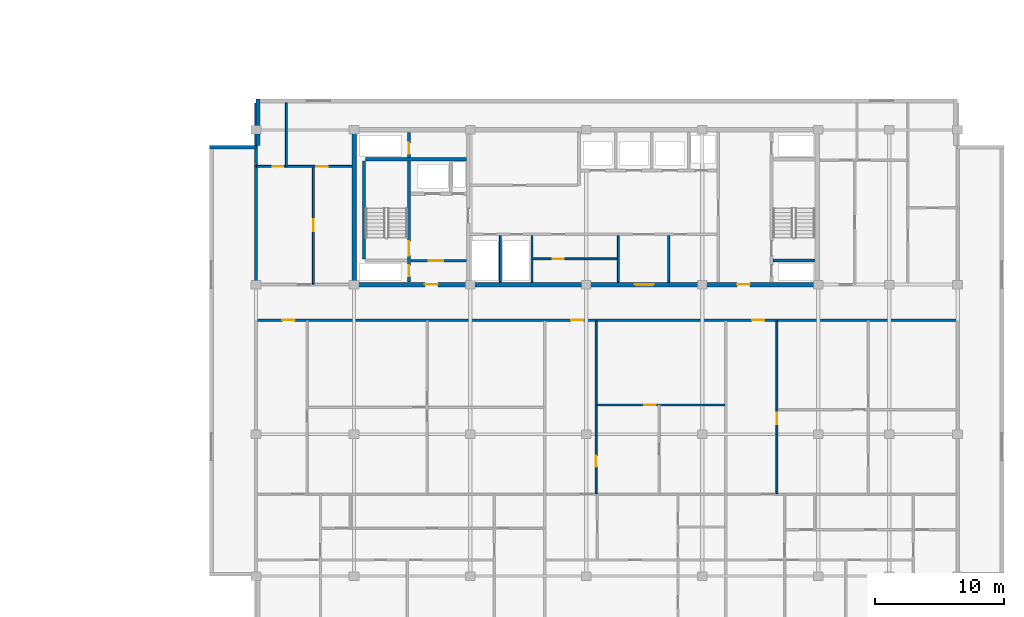
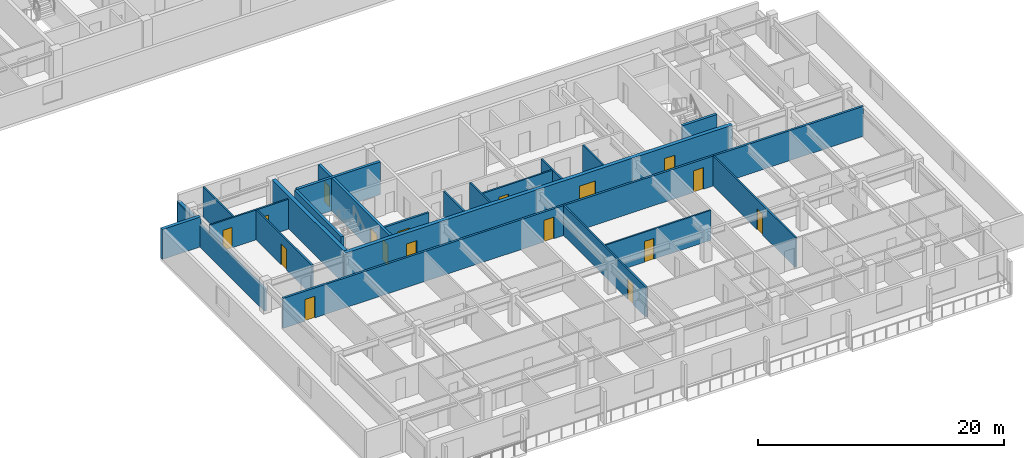
# One storey, part 6 of 22: 22 walls, 17 doors, 17 openings.
"""IFC4 building model written with IfcOpenShell, lengths in metres."""

from ifc_helpers import new_model, si_unit, direction, frame, frame_2d, origin, place, context, subcontext, project, spatial, rectangle, extrude, material, layer, layer_set, type_object, element, fill, save


model = new_model("IFC4")

# Units and contexts
model_context = context("Model", 3, precision=1e-05, world=origin(), true_north=direction((0.0, 1.0)))
body_context = subcontext(model_context, "Body", "Model", "MODEL_VIEW")
ifc_project = project(units=[si_unit("LENGTHUNIT", "METRE"), si_unit("AREAUNIT", "SQUARE_METRE"), si_unit("VOLUMEUNIT", "CUBIC_METRE"), si_unit("PLANEANGLEUNIT", "RADIAN"), si_unit("MASSUNIT", "GRAM", prefix="KILO")], contexts=[model_context])

# Site, building, storey
site_placement = place(None, origin())
site = spatial("IfcSite", under=ifc_project, at=site_placement, CompositionType="ELEMENT")
building_placement = place(site_placement, origin())
building = spatial("IfcBuilding", under=site, at=building_placement, Name="Korimba Cascade Residences", CompositionType="ELEMENT")
storey_placement = place(building_placement, frame((0.0, 0.0, 191.35009765625)))
storey = spatial("IfcBuildingStorey", under=building, at=storey_placement, Name="L55", CompositionType="ELEMENT", Elevation=191.35009765625)

# Walls
ifc_material_1 = material(Name="Precast concrete C40/50", Category="concrete")
ifc_layer_1 = layer(ifc_material_1, 0.300048828125)
ifc_layer_set_1 = layer_set([ifc_layer_1], Name="Precast concrete C40/50")
wall_type_1 = type_object("IfcWallType", Name="EW-STONE-300", PredefinedType="STANDARD", material=ifc_layer_set_1)
wall_1_placement = place(storey_placement, frame((74.64990234375, 32.800048828125, 0.0), z_axis=(0.0, 0.0, 1.0), x_axis=(0.0, -1.0, 0.0)))
element("IfcWall", 1, at=wall_1_placement, inside=storey, type_object=wall_type_1, Name="L55 T2 Perimeter Stone Wall E07", PredefinedType="STANDARD", context=body_context, shape_type="SweptSolid", body=[
    extrude(rectangle(XDim=3.60009765625, YDim=0.300048828125, at=frame_2d((1.800048828125, 0.0))), origin(), (0.0, 0.0, 1.0), 2.2001953125),
])
wall_2_placement = place(storey_placement, frame((74.5, 29.050048828125, 0.0), z_axis=(0.0, 0.0, 1.0), x_axis=(-1.0, 0.0, 0.0)))
element("IfcWall", 2, at=wall_2_placement, inside=storey, type_object=wall_type_1, Name="L55 T2 Perimeter Stone Wall E08", PredefinedType="STANDARD", context=body_context, shape_type="SweptSolid", body=[
    extrude(rectangle(XDim=3.60009765625, YDim=0.300048828125, at=frame_2d((1.800048828125, 0.0))), origin(), (0.0, 0.0, 1.0), 2.969970703125),
])
ifc_material_2 = material(Name="Concrete C65/80", Category="concrete")
ifc_layer_2 = layer(ifc_material_2, 0.35009765625)
ifc_layer_set_2 = layer_set([ifc_layer_2], Name="Concrete C65/80")
wall_type_2 = type_object("IfcWallType", Name="WAL-CORE-350", PredefinedType="SHEAR", material=ifc_layer_set_2)
wall_3_placement = place(storey_placement, frame((82.10009765625, 18.574951171875, 0.0), z_axis=(0.0, 0.0, 1.0), x_axis=(0.0, 1.0, 0.0)))
element("IfcWall", 3, at=wall_3_placement, inside=storey, type_object=wall_type_2, Name="L55 Core Shear Wall CW-L55-T2-W", PredefinedType="SHEAR", context=body_context, shape_type="SweptSolid", body=[
    extrude(rectangle(XDim=11.650146484375, YDim=0.35009765625, at=frame_2d((5.8251953125, 0.0))), origin(), (0.0, 0.0, 1.0), 3.25),
])

# Wall, openings, doors
wall_4_placement = place(storey_placement, frame((81.925048828125, 18.39990234375, 0.0), z_axis=(0.0, 0.0, 1.0), x_axis=(1.0, 0.0, 0.0)))
wall_4 = element("IfcWall", 4, at=wall_4_placement, inside=storey, type_object=wall_type_2, Name="L55 Core Shear Wall CW-L55-T2-S", PredefinedType="SHEAR", context=body_context, shape_type="SweptSolid", body=[
    extrude(rectangle(XDim=36.264892578125, YDim=0.35009765625, at=frame_2d((18.13232421875, 0.0))), origin(), (0.0, 0.0, 1.0), 3.25),
])
opening_1_placement = place(wall_4_placement, frame((5.675048828125, 0.0, 0.0)))
opening_1 = element("IfcOpeningElement", 5, at=opening_1_placement, cuts=wall_4, Name="Opening D-FD5", PredefinedType="OPENING", context=body_context, shape_type="SweptSolid", body=[
    extrude(rectangle(XDim=1.0, YDim=2.14990234375, at=frame_2d((0.5, 1.074951171875))), frame((0.0, 0.18505859375, 0.0), z_axis=(0.0, -1.0, 0.0), x_axis=(1.0, 0.0, 0.0)), (0.0, 0.0, 1.0), 0.3701171875),
])
opening_2_placement = place(wall_4_placement, frame((21.925048828125, 0.0, 0.0)))
opening_2 = element("IfcOpeningElement", 6, at=opening_2_placement, cuts=wall_4, Name="Opening D-FD8", PredefinedType="OPENING", context=body_context, shape_type="SweptSolid", body=[
    extrude(rectangle(XDim=1.5, YDim=2.199951171875, at=frame_2d((0.75, 1.10009765625))), frame((0.0, 0.18505859375, 0.0), z_axis=(0.0, -1.0, 0.0), x_axis=(1.0, 0.0, 0.0)), (0.0, 0.0, 1.0), 0.3701171875),
])
opening_3_placement = place(wall_4_placement, frame((29.875, 0.0, 0.0)))
opening_3 = element("IfcOpeningElement", 7, at=opening_3_placement, cuts=wall_4, Name="Opening D-FD5", PredefinedType="OPENING", context=body_context, shape_type="SweptSolid", body=[
    extrude(rectangle(XDim=1.0, YDim=2.14990234375, at=frame_2d((0.5, 1.074951171875))), frame((0.0, 0.18505859375, 0.0), z_axis=(0.0, -1.0, 0.0), x_axis=(1.0, 0.0, 0.0)), (0.0, 0.0, 1.0), 0.3701171875),
])
ifc_material_3 = material(Name="Fire-Rated Acoustic Timber Vestibule Door", Category="wood")
door_type_1 = type_object("IfcDoorType", Name="DR-FD90-1000", OperationType="NOTDEFINED", PredefinedType="DOOR", material=ifc_material_3)
door_1_placement = place(opening_1_placement, origin())
door_1 = element("IfcDoor", 8, at=door_1_placement, inside=storey, type_object=door_type_1, Name="L55 T2 West Core Vestibule Fire Door", OperationType="SINGLE_SWING_RIGHT", OverallHeight=2.14990234375, OverallWidth=1.0, PredefinedType="DOOR", context=body_context, shape_type="SweptSolid", body=[
    extrude(rectangle(XDim=1.0, YDim=2.14990234375, at=frame_2d((0.5, 1.074951171875))), frame((0.0, 0.02490234375, 0.0), z_axis=(0.0, -1.0, 0.0), x_axis=(1.0, 0.0, 0.0)), (0.0, 0.0, 1.0), 0.050048828125),
])
fill(opening_1, door_1)
door_2_placement = place(opening_3_placement, origin())
door_2 = element("IfcDoor", 9, at=door_2_placement, inside=storey, type_object=door_type_1, Name="L55 T2 East Stair Vestibule Fire Door", OperationType="SINGLE_SWING_LEFT", OverallHeight=2.14990234375, OverallWidth=1.0, PredefinedType="DOOR", context=body_context, shape_type="SweptSolid", body=[
    extrude(rectangle(XDim=1.0, YDim=2.14990234375, at=frame_2d((0.5, 1.074951171875))), frame((0.0, 0.02490234375, 0.0), z_axis=(0.0, -1.0, 0.0), x_axis=(1.0, 0.0, 0.0)), (0.0, 0.0, 1.0), 0.050048828125),
])
fill(opening_3, door_2)
ifc_material_4 = material(Name="Fire-Rated Glazed Lift Lobby Double Door", Category="glass")
door_type_2 = type_object("IfcDoorType", Name="DR-FD90-1500", OperationType="NOTDEFINED", PredefinedType="DOOR", material=ifc_material_4)
door_3_placement = place(opening_2_placement, origin())
door_3 = element("IfcDoor", 10, at=door_3_placement, inside=storey, type_object=door_type_2, Name="L55 T2 Lift Lobby Fire Door", OperationType="DOUBLE_DOOR_SINGLE_SWING", OverallHeight=2.199951171875, OverallWidth=1.5, PredefinedType="DOOR", context=body_context, shape_type="SweptSolid", body=[
    extrude(rectangle(XDim=1.5, YDim=2.199951171875, at=frame_2d((0.75, 1.10009765625))), frame((0.0, 0.02490234375, 0.0), z_axis=(0.0, -1.0, 0.0), x_axis=(1.0, 0.0, 0.0)), (0.0, 0.0, 1.0), 0.050048828125),
])
fill(opening_2, door_3)

# Wall
ifc_layer_3 = layer(ifc_material_1, 0.199951171875)
ifc_layer_set_3 = layer_set([ifc_layer_3], Name="Precast concrete C40/50")
wall_type_3 = type_object("IfcWallType", Name="WAL-IT-200", PredefinedType="PARTITIONING", material=ifc_layer_set_3)
wall_5_placement = place(storey_placement, frame((74.5, 18.39990234375, 0.0), z_axis=(0.0, 0.0, 1.0), x_axis=(0.0, 1.0, 0.0)))
element("IfcWall", 11, at=wall_5_placement, inside=storey, type_object=wall_type_3, Name="L55 Partition Wall WAL-L55-T2-FW-WL", PredefinedType="PARTITIONING", context=body_context, shape_type="SweptSolid", body=[
    extrude(rectangle(XDim=14.10009765625, YDim=0.199951171875, at=frame_2d((7.050048828125, 0.0))), origin(), (0.0, 0.0, 1.0), 2.2001953125),
])

# Wall, openings, doors
wall_6_placement = place(storey_placement, frame((74.5, 15.64990234375, 0.0), z_axis=(0.0, 0.0, 1.0), x_axis=(1.0, 0.0, 0.0)))
wall_6 = element("IfcWall", 12, at=wall_6_placement, inside=storey, type_object=wall_type_3, Name="L55 Partition Wall WAL-L55-T2-CORS", PredefinedType="PARTITIONING", context=body_context, shape_type="SweptSolid", body=[
    extrude(rectangle(XDim=54.39990234375, YDim=0.199951171875, at=frame_2d((27.199951171875, 0.0))), origin(), (0.0, 0.0, 1.0), 2.969970703125),
])
opening_4_placement = place(wall_6_placement, frame((2.044921875, 0.0, 0.0)))
opening_4 = element("IfcOpeningElement", 13, at=opening_4_placement, cuts=wall_6, Name="Opening D-UN1", PredefinedType="OPENING", context=body_context, shape_type="SweptSolid", body=[
    extrude(rectangle(XDim=0.949951171875, YDim=2.14990234375, at=frame_2d((0.47509765625, 1.074951171875))), frame((0.0, 0.10986328125, 0.0), z_axis=(0.0, -1.0, 0.0), x_axis=(1.0, 0.0, 0.0)), (0.0, 0.0, 1.0), 0.219970703125),
])
opening_5_placement = place(wall_6_placement, frame((24.444091796875, 0.0, 0.0)))
opening_5 = element("IfcOpeningElement", 14, at=opening_5_placement, cuts=wall_6, Name="Opening D-UN1", PredefinedType="OPENING", context=body_context, shape_type="SweptSolid", body=[
    extrude(rectangle(XDim=0.949951171875, YDim=2.14990234375, at=frame_2d((0.47509765625, 1.074951171875))), frame((0.0, 0.10986328125, 0.0), z_axis=(0.0, -1.0, 0.0), x_axis=(1.0, 0.0, 0.0)), (0.0, 0.0, 1.0), 0.219970703125),
])
opening_6_placement = place(wall_6_placement, frame((38.46630859375, 0.0, 0.0)))
opening_6 = element("IfcOpeningElement", 15, at=opening_6_placement, cuts=wall_6, Name="Opening D-UN1", PredefinedType="OPENING", context=body_context, shape_type="SweptSolid", body=[
    extrude(rectangle(XDim=0.949951171875, YDim=2.14990234375, at=frame_2d((0.47509765625, 1.074951171875))), frame((0.0, 0.10986328125, 0.0), z_axis=(0.0, -1.0, 0.0), x_axis=(1.0, 0.0, 0.0)), (0.0, 0.0, 1.0), 0.219970703125),
])
ifc_material_5 = material(Name="Fire-Rated Hardwood Apartment Entrance Door", Category="wood")
door_type_3 = type_object("IfcDoorType", Name="DR-FD60-950", OperationType="NOTDEFINED", PredefinedType="DOOR", material=ifc_material_5)
door_4_placement = place(opening_4_placement, origin())
door_4 = element("IfcDoor", 16, at=door_4_placement, inside=storey, type_object=door_type_3, Name="Unit L55-T2-U01 Entrance Door", OperationType="SINGLE_SWING_RIGHT", OverallHeight=2.14990234375, OverallWidth=0.949951171875, PredefinedType="DOOR", context=body_context, shape_type="SweptSolid", body=[
    extrude(rectangle(XDim=0.949951171875, YDim=2.14990234375, at=frame_2d((0.47509765625, 1.074951171875))), frame((0.0, 0.02490234375, 0.0), z_axis=(0.0, -1.0, 0.0), x_axis=(1.0, 0.0, 0.0)), (0.0, 0.0, 1.0), 0.050048828125),
])
fill(opening_4, door_4)
door_5_placement = place(opening_5_placement, origin())
door_5 = element("IfcDoor", 17, at=door_5_placement, inside=storey, type_object=door_type_3, Name="Unit L55-T2-U02 Entrance Door", OperationType="SINGLE_SWING_LEFT", OverallHeight=2.14990234375, OverallWidth=0.949951171875, PredefinedType="DOOR", context=body_context, shape_type="SweptSolid", body=[
    extrude(rectangle(XDim=0.949951171875, YDim=2.14990234375, at=frame_2d((0.47509765625, 1.074951171875))), frame((0.0, 0.02490234375, 0.0), z_axis=(0.0, -1.0, 0.0), x_axis=(1.0, 0.0, 0.0)), (0.0, 0.0, 1.0), 0.050048828125),
])
fill(opening_5, door_5)
door_6_placement = place(opening_6_placement, origin())
door_6 = element("IfcDoor", 18, at=door_6_placement, inside=storey, type_object=door_type_3, Name="Unit L55-T2-U03 Entrance Door", OperationType="SINGLE_SWING_RIGHT", OverallHeight=2.14990234375, OverallWidth=0.949951171875, PredefinedType="DOOR", context=body_context, shape_type="SweptSolid", body=[
    extrude(rectangle(XDim=0.949951171875, YDim=2.14990234375, at=frame_2d((0.47509765625, 1.074951171875))), frame((0.0, 0.02490234375, 0.0), z_axis=(0.0, -1.0, 0.0), x_axis=(1.0, 0.0, 0.0)), (0.0, 0.0, 1.0), 0.050048828125),
])
fill(opening_6, door_6)

# Walls
ifc_material_6 = material(Name="Insulated Acoustic Stud Partition", Category="gypsum")
ifc_layer_4 = layer(ifc_material_6, 0.14990234375)
ifc_layer_set_4 = layer_set([ifc_layer_4], Name="Insulated Acoustic Stud Partition")
wall_type_4 = type_object("IfcWallType", Name="WAL-PART-150", PredefinedType="PARTITIONING", material=ifc_layer_set_4)
for number, where, z_axis, x_axis, name in (
    (19, (93.449951171875, 18.60009765625, 0.0), (0.0, 0.0, 1.0), (0.0, 1.0, 0.0), "L55 Partition Wall CW-L55-T2-ERDIV"),
    (20, (95.89990234375, 18.60009765625, 0.0), (0.0, 0.0, 1.0), (0.0, 1.0, 0.0), "L55 Partition Wall CW-L55-T2-PRDIV"),
):
    element("IfcWall", number, at=place(storey_placement, frame(where, z_axis=z_axis, x_axis=x_axis)), inside=storey, type_object=wall_type_4, Name=name, PredefinedType="PARTITIONING", context=body_context, shape_type="SweptSolid", body=[
        extrude(rectangle(XDim=3.599853515625, YDim=0.14990234375, at=frame_2d((1.7998046875, 0.0))), origin(), (0.0, 0.0, 1.0), 2.969970703125),
    ])

# Wall, opening, door
wall_7_placement = place(storey_placement, frame((95.89990234375, 20.39990234375, 0.0), z_axis=(0.0, 0.0, 1.0), x_axis=(1.0, 0.0, 0.0)))
wall_7 = element("IfcWall", 21, at=wall_7_placement, inside=storey, type_object=wall_type_4, Name="L55 Partition Wall CW-L55-T2-CA2HZ", PredefinedType="PARTITIONING", context=body_context, shape_type="SweptSolid", body=[
    extrude(rectangle(XDim=6.7001953125, YDim=0.14990234375, at=frame_2d((3.35009765625, 0.0))), origin(), (0.0, 0.0, 1.0), 2.969970703125),
])
opening_7_placement = place(wall_7_placement, frame((1.60009765625, 0.0, 0.0)))
opening_7 = element("IfcOpeningElement", 22, at=opening_7_placement, cuts=wall_7, Name="Opening D-IN2", PredefinedType="OPENING", context=body_context, shape_type="SweptSolid", body=[
    extrude(rectangle(XDim=0.8798828125, YDim=2.06005859375, at=frame_2d((0.43994140625, 1.030029296875))), frame((0.0, 0.0849609375, 0.0), z_axis=(0.0, -1.0, 0.0), x_axis=(1.0, 0.0, 0.0)), (0.0, 0.0, 1.0), 0.169921875),
])
ifc_material_7 = material(Name="Acoustic Timber Bedroom Door", Category="wood")
door_type_4 = type_object("IfcDoorType", Name="DR-INT-880", OperationType="NOTDEFINED", PredefinedType="DOOR", material=ifc_material_7)
door_7_placement = place(opening_7_placement, origin())
door_7 = element("IfcDoor", 23, at=door_7_placement, inside=storey, type_object=door_type_4, Name="L55 T2 Pram Store Door", OperationType="SINGLE_SWING_RIGHT", OverallHeight=2.06005859375, OverallWidth=0.8798828125, PredefinedType="DOOR", context=body_context, shape_type="SweptSolid", body=[
    extrude(rectangle(XDim=0.8798828125, YDim=2.06005859375, at=frame_2d((0.43994140625, 1.030029296875))), frame((0.0, 0.02490234375, 0.0), z_axis=(0.0, -1.0, 0.0), x_axis=(1.0, 0.0, 0.0)), (0.0, 0.0, 1.0), 0.050048828125),
])
fill(opening_7, door_7)

# Walls
for number, where, z_axis, x_axis, name in (
    (24, (102.60009765625, 18.60009765625, 0.0), (0.0, 0.0, 1.0), (0.0, 1.0, 0.0), "L55 Partition Wall CW-L55-T2-THW"),
    (25, (106.5, 18.60009765625, 0.0), (0.0, 0.0, 1.0), (0.0, 1.0, 0.0), "L55 Partition Wall CW-L55-T2-THE"),
):
    element("IfcWall", number, at=place(storey_placement, frame(where, z_axis=z_axis, x_axis=x_axis)), inside=storey, type_object=wall_type_4, Name=name, PredefinedType="PARTITIONING", context=body_context, shape_type="SweptSolid", body=[
        extrude(rectangle(XDim=3.599853515625, YDim=0.14990234375, at=frame_2d((1.7998046875, 0.0))), origin(), (0.0, 0.0, 1.0), 2.969970703125),
    ])

# Wall, opening, door
wall_8_placement = place(storey_placement, frame((78.945068359375, 18.449951171875, 0.0), z_axis=(0.0, 0.0, 1.0), x_axis=(0.0, 1.0, 0.0)))
wall_8 = element("IfcWall", 26, at=wall_8_placement, inside=storey, type_object=wall_type_4, Name="L55 Partition Wall WAL-L55-T2-FW-VS", PredefinedType="PARTITIONING", context=body_context, shape_type="SweptSolid", body=[
    extrude(rectangle(XDim=9.1201171875, YDim=0.14990234375, at=frame_2d((4.56005859375, 0.0))), origin(), (0.0, 0.0, 1.0), 2.969970703125),
])
opening_8_placement = place(wall_8_placement, frame((4.10009765625, 0.0, 0.0)))
opening_8 = element("IfcOpeningElement", 27, at=opening_8_placement, cuts=wall_8, Name="Opening D-IN1", PredefinedType="OPENING", context=body_context, shape_type="SweptSolid", body=[
    extrude(rectangle(XDim=0.919921875, YDim=2.080078125, at=frame_2d((0.4599609375, 1.0400390625))), frame((0.0, 0.0849609375, 0.0), z_axis=(0.0, -1.0, 0.0), x_axis=(1.0, 0.0, 0.0)), (0.0, 0.0, 1.0), 0.169921875),
])
ifc_material_8 = material(Name="Acoustic Timber Living Door", Category="wood")
door_type_5 = type_object("IfcDoorType", Name="DR-INT-920", OperationType="NOTDEFINED", PredefinedType="DOOR", material=ifc_material_8)
door_8_placement = place(opening_8_placement, origin())
door_8 = element("IfcDoor", 28, at=door_8_placement, inside=storey, type_object=door_type_5, Name="L55-T2-FW Living Door", OperationType="SINGLE_SWING_LEFT", OverallHeight=2.080078125, OverallWidth=0.919921875, PredefinedType="DOOR", context=body_context, shape_type="SweptSolid", body=[
    extrude(rectangle(XDim=0.919921875, YDim=2.080078125, at=frame_2d((0.4599609375, 1.0400390625))), frame((0.0, 0.02490234375, 0.0), z_axis=(0.0, -1.0, 0.0), x_axis=(1.0, 0.0, 0.0)), (0.0, 0.0, 1.0), 0.050048828125),
])
fill(opening_8, door_8)

# Wall
wall_9_placement = place(storey_placement, frame((76.85009765625, 27.570068359375, 0.0), z_axis=(0.0, 0.0, 1.0), x_axis=(0.0, 1.0, 0.0)))
element("IfcWall", 29, at=wall_9_placement, inside=storey, type_object=wall_type_4, Name="L55 Partition Wall WAL-L55-T2-FW-VN", PredefinedType="PARTITIONING", context=body_context, shape_type="SweptSolid", body=[
    extrude(rectangle(XDim=4.929931640625, YDim=0.14990234375, at=frame_2d((2.46484375, 0.0))), origin(), (0.0, 0.0, 1.0), 2.969970703125),
])

# Wall, openings, doors
wall_10_placement = place(storey_placement, frame((74.52001953125, 27.570068359375, 0.0), z_axis=(0.0, 0.0, 1.0), x_axis=(1.0, 0.0, 0.0)))
wall_10 = element("IfcWall", 30, at=wall_10_placement, inside=storey, type_object=wall_type_4, Name="L55 Partition Wall WAL-L55-T2-FW-H", PredefinedType="PARTITIONING", context=body_context, shape_type="SweptSolid", body=[
    extrude(rectangle(XDim=7.409912109375, YDim=0.14990234375, at=frame_2d((3.705078125, 0.0))), origin(), (0.0, 0.0, 1.0), 2.969970703125),
])
opening_9_placement = place(wall_10_placement, frame((1.266357421875, 0.0, 0.0)))
opening_9 = element("IfcOpeningElement", 31, at=opening_9_placement, cuts=wall_10, Name="Opening D-BT1", PredefinedType="OPENING", context=body_context, shape_type="SweptSolid", body=[
    extrude(rectangle(XDim=0.840087890625, YDim=2.0400390625, at=frame_2d((0.419921875, 1.02001953125))), frame((0.0, 0.0849609375, 0.0), z_axis=(0.0, -1.0, 0.0), x_axis=(1.0, 0.0, 0.0)), (0.0, 0.0, 1.0), 0.169921875),
])
opening_10_placement = place(wall_10_placement, frame((4.64501953125, 0.0, 0.0)))
opening_10 = element("IfcOpeningElement", 32, at=opening_10_placement, cuts=wall_10, Name="Opening D-IN2", PredefinedType="OPENING", context=body_context, shape_type="SweptSolid", body=[
    extrude(rectangle(XDim=0.8798828125, YDim=2.06005859375, at=frame_2d((0.43994140625, 1.030029296875))), frame((0.0, 0.0849609375, 0.0), z_axis=(0.0, -1.0, 0.0), x_axis=(1.0, 0.0, 0.0)), (0.0, 0.0, 1.0), 0.169921875),
])
ifc_material_9 = material(Name="Moisture-Resistant Bathroom Timber Door", Category="wood")
door_type_6 = type_object("IfcDoorType", Name="DR-INT-850", OperationType="NOTDEFINED", PredefinedType="DOOR", material=ifc_material_9)
door_9_placement = place(opening_9_placement, origin())
door_9 = element("IfcDoor", 33, at=door_9_placement, inside=storey, type_object=door_type_6, Name="L55-T2-FW Bathroom Door", OperationType="SINGLE_SWING_RIGHT", OverallHeight=2.0400390625, OverallWidth=0.840087890625, PredefinedType="DOOR", context=body_context, shape_type="SweptSolid", body=[
    extrude(rectangle(XDim=0.840087890625, YDim=2.0400390625, at=frame_2d((0.419921875, 1.02001953125))), frame((0.0, 0.02490234375, 0.0), z_axis=(0.0, -1.0, 0.0), x_axis=(1.0, 0.0, 0.0)), (0.0, 0.0, 1.0), 0.050048828125),
])
fill(opening_9, door_9)
door_10_placement = place(opening_10_placement, origin())
door_10 = element("IfcDoor", 34, at=door_10_placement, inside=storey, type_object=door_type_4, Name="L55-T2-FW Bedroom Door", OperationType="SINGLE_SWING_LEFT", OverallHeight=2.06005859375, OverallWidth=0.8798828125, PredefinedType="DOOR", context=body_context, shape_type="SweptSolid", body=[
    extrude(rectangle(XDim=0.8798828125, YDim=2.06005859375, at=frame_2d((0.43994140625, 1.030029296875))), frame((0.0, 0.02490234375, 0.0), z_axis=(0.0, -1.0, 0.0), x_axis=(1.0, 0.0, 0.0)), (0.0, 0.0, 1.0), 0.050048828125),
])
fill(opening_10, door_10)

# Wall, opening, door
wall_11_placement = place(storey_placement, frame((100.92919921875, 9.070068359375, 0.0), z_axis=(0.0, 0.0, 1.0), x_axis=(1.0, 0.0, 0.0)))
wall_11 = element("IfcWall", 35, at=wall_11_placement, inside=storey, type_object=wall_type_4, Name="L55 Partition Wall WAL-L55-T2-U02-FMH", PredefinedType="PARTITIONING", context=body_context, shape_type="SweptSolid", body=[
    extrude(rectangle(XDim=9.912109375, YDim=0.14990234375, at=frame_2d((4.9560546875, 0.0))), origin(), (0.0, 0.0, 1.0), 2.969970703125),
])
opening_11_placement = place(wall_11_placement, frame((3.66845703125, 0.0, 0.0)))
opening_11 = element("IfcOpeningElement", 36, at=opening_11_placement, cuts=wall_11, Name="Opening D-IN2", PredefinedType="OPENING", context=body_context, shape_type="SweptSolid", body=[
    extrude(rectangle(XDim=0.8798828125, YDim=2.06005859375, at=frame_2d((0.43994140625, 1.030029296875))), frame((0.0, 0.0849609375, 0.0), z_axis=(0.0, -1.0, 0.0), x_axis=(1.0, 0.0, 0.0)), (0.0, 0.0, 1.0), 0.169921875),
])
door_11_placement = place(opening_11_placement, origin())
door_11 = element("IfcDoor", 37, at=door_11_placement, inside=storey, type_object=door_type_4, Name="L55-T2-U02 Library Salon Door", OperationType="SINGLE_SWING_LEFT", OverallHeight=2.06005859375, OverallWidth=0.8798828125, PredefinedType="DOOR", context=body_context, shape_type="SweptSolid", body=[
    extrude(rectangle(XDim=0.8798828125, YDim=2.06005859375, at=frame_2d((0.43994140625, 1.030029296875))), frame((0.0, 0.02490234375, 0.0), z_axis=(0.0, -1.0, 0.0), x_axis=(1.0, 0.0, 0.0)), (0.0, 0.0, 1.0), 0.050048828125),
])
fill(opening_11, door_11)

wall_12_placement = place(storey_placement, frame((100.869140625, 2.18994140625, 0.0), z_axis=(0.0, 0.0, 1.0), x_axis=(0.0, 1.0, 0.0)))
wall_12 = element("IfcWall", 38, at=wall_12_placement, inside=storey, type_object=wall_type_4, Name="L55 Partition Wall WAL-L55-T2-U02-FV", PredefinedType="PARTITIONING", context=body_context, shape_type="SweptSolid", body=[
    extrude(rectangle(XDim=13.400146484375, YDim=0.14990234375, at=frame_2d((6.7001953125, 0.0))), origin(), (0.0, 0.0, 1.0), 2.969970703125),
])
opening_12_placement = place(wall_12_placement, frame((2.077880859375, 0.0, 0.0)))
opening_12 = element("IfcOpeningElement", 39, at=opening_12_placement, cuts=wall_12, Name="Opening D-IN2", PredefinedType="OPENING", context=body_context, shape_type="SweptSolid", body=[
    extrude(rectangle(XDim=0.8798828125, YDim=2.06005859375, at=frame_2d((0.43994140625, 1.030029296875))), frame((0.0, 0.0849609375, 0.0), z_axis=(0.0, -1.0, 0.0), x_axis=(1.0, 0.0, 0.0)), (0.0, 0.0, 1.0), 0.169921875),
])
door_12_placement = place(opening_12_placement, origin())
door_12 = element("IfcDoor", 40, at=door_12_placement, inside=storey, type_object=door_type_4, Name="L55-T2-U02 Media Lounge Door", OperationType="SINGLE_SWING_RIGHT", OverallHeight=2.06005859375, OverallWidth=0.8798828125, PredefinedType="DOOR", context=body_context, shape_type="SweptSolid", body=[
    extrude(rectangle(XDim=0.8798828125, YDim=2.06005859375, at=frame_2d((0.43994140625, 1.030029296875))), frame((0.0, 0.02490234375, 0.0), z_axis=(0.0, -1.0, 0.0), x_axis=(1.0, 0.0, 0.0)), (0.0, 0.0, 1.0), 0.050048828125),
])
fill(opening_12, door_12)

wall_13_placement = place(storey_placement, frame((114.891357421875, 2.18994140625, 0.0), z_axis=(0.0, 0.0, 1.0), x_axis=(0.0, 1.0, 0.0)))
wall_13 = element("IfcWall", 41, at=wall_13_placement, inside=storey, type_object=wall_type_4, Name="L55 Partition Wall WAL-L55-T2-U03-FV", PredefinedType="PARTITIONING", context=body_context, shape_type="SweptSolid", body=[
    extrude(rectangle(XDim=13.400146484375, YDim=0.14990234375, at=frame_2d((6.7001953125, 0.0))), origin(), (0.0, 0.0, 1.0), 2.969970703125),
])
opening_13_placement = place(wall_13_placement, frame((5.389892578125, 0.0, 0.0)))
opening_13 = element("IfcOpeningElement", 42, at=opening_13_placement, cuts=wall_13, Name="Opening D-IN2", PredefinedType="OPENING", context=body_context, shape_type="SweptSolid", body=[
    extrude(rectangle(XDim=0.8798828125, YDim=2.06005859375, at=frame_2d((0.43994140625, 1.030029296875))), frame((0.0, 0.0849609375, 0.0), z_axis=(0.0, -1.0, 0.0), x_axis=(1.0, 0.0, 0.0)), (0.0, 0.0, 1.0), 0.169921875),
])
door_13_placement = place(opening_13_placement, origin())
door_13 = element("IfcDoor", 43, at=door_13_placement, inside=storey, type_object=door_type_4, Name="L55-T2-U03 Media Lounge Door", OperationType="SINGLE_SWING_RIGHT", OverallHeight=2.06005859375, OverallWidth=0.8798828125, PredefinedType="DOOR", context=body_context, shape_type="SweptSolid", body=[
    extrude(rectangle(XDim=0.8798828125, YDim=2.06005859375, at=frame_2d((0.43994140625, 1.030029296875))), frame((0.0, 0.02490234375, 0.0), z_axis=(0.0, -1.0, 0.0), x_axis=(1.0, 0.0, 0.0)), (0.0, 0.0, 1.0), 0.050048828125),
])
fill(opening_13, door_13)

ifc_material_10 = material(Name="Concrete C40/50", Category="concrete")
ifc_layer_5 = layer(ifc_material_10, 0.199951171875)
ifc_layer_set_5 = layer_set([ifc_layer_5], Name="Concrete C40/50")
wall_type_5 = type_object("IfcWallType", Name="WAL-PART-200", PredefinedType="PARTITIONING", material=ifc_layer_set_5)
wall_14_placement = place(storey_placement, frame((86.5, 20.25, 0.0), z_axis=(0.0, 0.0, 1.0), x_axis=(1.0, 0.0, 0.0)))
wall_14 = element("IfcWall", 44, at=wall_14_placement, inside=storey, type_object=wall_type_5, Name="L55 Partition Wall CW-L55-T2-FFLS", PredefinedType="PARTITIONING", context=body_context, shape_type="SweptSolid", body=[
    extrude(rectangle(XDim=4.320068359375, YDim=0.199951171875, at=frame_2d((2.16015625, 0.0))), origin(), (0.0, 0.0, 1.0), 2.969970703125),
])
opening_14_placement = place(wall_14_placement, frame((1.39990234375, 0.0, 0.0)))
opening_14 = element("IfcOpeningElement", 45, at=opening_14_placement, cuts=wall_14, Name="Opening D-FD1", PredefinedType="OPENING", context=body_context, shape_type="SweptSolid", body=[
    extrude(rectangle(XDim=1.10009765625, YDim=2.10009765625, at=frame_2d((0.550048828125, 1.050048828125))), frame((0.0, 0.10986328125, 0.0), z_axis=(0.0, -1.0, 0.0), x_axis=(1.0, 0.0, 0.0)), (0.0, 0.0, 1.0), 0.219970703125),
])
ifc_material_11 = material(Name="Fire-Rated Steel Core Door", Category="steel")
door_type_7 = type_object("IfcDoorType", Name="DR-FD120-1100", OperationType="NOTDEFINED", PredefinedType="DOOR", material=ifc_material_11)
door_14_placement = place(opening_14_placement, origin())
door_14 = element("IfcDoor", 46, at=door_14_placement, inside=storey, type_object=door_type_7, Name="L55 T2 Firefighting Lobby Door", OperationType="SINGLE_SWING_RIGHT", OverallHeight=2.10009765625, OverallWidth=1.10009765625, PredefinedType="DOOR", context=body_context, shape_type="SweptSolid", body=[
    extrude(rectangle(XDim=1.10009765625, YDim=2.10009765625, at=frame_2d((0.550048828125, 1.050048828125))), frame((0.0, 0.02490234375, 0.0), z_axis=(0.0, -1.0, 0.0), x_axis=(1.0, 0.0, 0.0)), (0.0, 0.0, 1.0), 0.050048828125),
])
fill(opening_14, door_14)

# Wall
ifc_material_12 = material(Name="Concrete C50/60", Category="concrete")
ifc_layer_6 = layer(ifc_material_12, 0.25)
ifc_layer_set_6 = layer_set([ifc_layer_6], Name="Concrete C50/60")
wall_type_6 = type_object("IfcWallType", Name="WAL-SHAFT-250", PredefinedType="SHEAR", material=ifc_layer_set_6)
wall_15_placement = place(storey_placement, frame((82.875, 20.39990234375, 0.0), z_axis=(0.0, 0.0, 1.0), x_axis=(0.0, 1.0, 0.0)))
element("IfcWall", 47, at=wall_15_placement, inside=storey, type_object=wall_type_6, Name="L55 Core Shear Wall CW-L55-T2-STE1W", PredefinedType="SHEAR", context=body_context, shape_type="SweptSolid", body=[
    extrude(rectangle(XDim=7.60009765625, YDim=0.25, at=frame_2d((3.800048828125, 0.0))), origin(), (0.0, 0.0, 1.0), 3.25),
])

# Wall, openings, doors
wall_16_placement = place(storey_placement, frame((86.364990234375, 18.60009765625, 0.0), z_axis=(0.0, 0.0, 1.0), x_axis=(0.0, 1.0, 0.0)))
wall_16 = element("IfcWall", 48, at=wall_16_placement, inside=storey, type_object=wall_type_6, Name="L55 Core Shear Wall CW-L55-T2-STE1E", PredefinedType="SHEAR", context=body_context, shape_type="SweptSolid", body=[
    extrude(rectangle(XDim=11.599853515625, YDim=0.25, at=frame_2d((5.7998046875, 0.0))), origin(), (0.0, 0.0, 1.0), 3.25),
])
opening_15_placement = place(wall_16_placement, frame((0.449951171875, 0.0, 0.0)))
opening_15 = element("IfcOpeningElement", 49, at=opening_15_placement, cuts=wall_16, Name="Opening D-RS1", PredefinedType="OPENING", context=body_context, shape_type="SweptSolid", body=[
    extrude(rectangle(XDim=0.85009765625, YDim=2.050048828125, at=frame_2d((0.425048828125, 1.02490234375))), frame((0.0, 0.135009765625, 0.0), z_axis=(0.0, -1.0, 0.0), x_axis=(1.0, 0.0, 0.0)), (0.0, 0.0, 1.0), 0.27001953125),
])
opening_16_placement = place(wall_16_placement, frame((2.050048828125, 0.0, 0.0)))
opening_16 = element("IfcOpeningElement", 50, at=opening_16_placement, cuts=wall_16, Name="Opening D-FD1", PredefinedType="OPENING", context=body_context, shape_type="SweptSolid", body=[
    extrude(rectangle(XDim=1.10009765625, YDim=2.10009765625, at=frame_2d((0.550048828125, 1.050048828125))), frame((0.0, 0.135009765625, 0.0), z_axis=(0.0, -1.0, 0.0), x_axis=(1.0, 0.0, 0.0)), (0.0, 0.0, 1.0), 0.27001953125),
])
opening_17_placement = place(wall_16_placement, frame((9.949951171875, 0.0, 0.0)))
opening_17 = element("IfcOpeningElement", 51, at=opening_17_placement, cuts=wall_16, Name="Opening D-RS1", PredefinedType="OPENING", context=body_context, shape_type="SweptSolid", body=[
    extrude(rectangle(XDim=0.85009765625, YDim=2.050048828125, at=frame_2d((0.425048828125, 1.02490234375))), frame((0.0, 0.135009765625, 0.0), z_axis=(0.0, -1.0, 0.0), x_axis=(1.0, 0.0, 0.0)), (0.0, 0.0, 1.0), 0.27001953125),
])
door_15_placement = place(opening_16_placement, origin())
door_15 = element("IfcDoor", 52, at=door_15_placement, inside=storey, type_object=door_type_7, Name="L55 Fire Stair ST-E1 Door", OperationType="SINGLE_SWING_LEFT", OverallHeight=2.10009765625, OverallWidth=1.10009765625, PredefinedType="DOOR", context=body_context, shape_type="SweptSolid", body=[
    extrude(rectangle(XDim=1.10009765625, YDim=2.10009765625, at=frame_2d((0.550048828125, 1.050048828125))), frame((0.0, 0.02490234375, 0.0), z_axis=(0.0, -1.0, 0.0), x_axis=(1.0, 0.0, 0.0)), (0.0, 0.0, 1.0), 0.050048828125),
])
fill(opening_16, door_15)
ifc_material_13 = material(Name="Fire-Rated Steel Riser Access Door", Category="steel")
door_type_8 = type_object("IfcDoorType", Name="DR-FD60-850", OperationType="NOTDEFINED", PredefinedType="DOOR", material=ifc_material_13)
door_16_placement = place(opening_15_placement, origin())
door_16 = element("IfcDoor", 53, at=door_16_placement, inside=storey, type_object=door_type_8, Name="L55 T2 Hydrant Riser Door", OperationType="SINGLE_SWING_RIGHT", OverallHeight=2.050048828125, OverallWidth=0.85009765625, PredefinedType="DOOR", context=body_context, shape_type="SweptSolid", body=[
    extrude(rectangle(XDim=0.85009765625, YDim=2.050048828125, at=frame_2d((0.425048828125, 1.02490234375))), frame((0.0, 0.02490234375, 0.0), z_axis=(0.0, -1.0, 0.0), x_axis=(1.0, 0.0, 0.0)), (0.0, 0.0, 1.0), 0.050048828125),
])
fill(opening_15, door_16)
door_17_placement = place(opening_17_placement, origin())
door_17 = element("IfcDoor", 54, at=door_17_placement, inside=storey, type_object=door_type_8, Name="L55 T2 Smoke Shaft Door", OperationType="SINGLE_SWING_RIGHT", OverallHeight=2.050048828125, OverallWidth=0.85009765625, PredefinedType="DOOR", context=body_context, shape_type="SweptSolid", body=[
    extrude(rectangle(XDim=0.85009765625, YDim=2.050048828125, at=frame_2d((0.425048828125, 1.02490234375))), frame((0.0, 0.02490234375, 0.0), z_axis=(0.0, -1.0, 0.0), x_axis=(1.0, 0.0, 0.0)), (0.0, 0.0, 1.0), 0.050048828125),
])
fill(opening_17, door_17)

# Walls
wall_17_placement = place(storey_placement, frame((83.0, 28.125, 0.0), z_axis=(0.0, 0.0, 1.0), x_axis=(1.0, 0.0, 0.0)))
element("IfcWall", 55, at=wall_17_placement, inside=storey, type_object=wall_type_6, Name="L55 Core Shear Wall CW-L55-T2-STE1N", PredefinedType="SHEAR", context=body_context, shape_type="SweptSolid", body=[
    extrude(rectangle(XDim=7.820068359375, YDim=0.25, at=frame_2d((3.91015625, 0.0))), origin(), (0.0, 0.0, 1.0), 3.25),
])
wall_18_placement = place(storey_placement, frame((114.60009765625, 20.27490234375, 0.0), z_axis=(0.0, 0.0, 1.0), x_axis=(1.0, 0.0, 0.0)))
element("IfcWall", 56, at=wall_18_placement, inside=storey, type_object=wall_type_6, Name="L55 Core Shear Wall CW-L55-T2-STE2S", PredefinedType="SHEAR", context=body_context, shape_type="SweptSolid", body=[
    extrude(rectangle(XDim=3.239990234375, YDim=0.25, at=frame_2d((1.6201171875, 0.0))), origin(), (0.0, 0.0, 1.0), 3.25),
])

save(model, "model.ifc")
